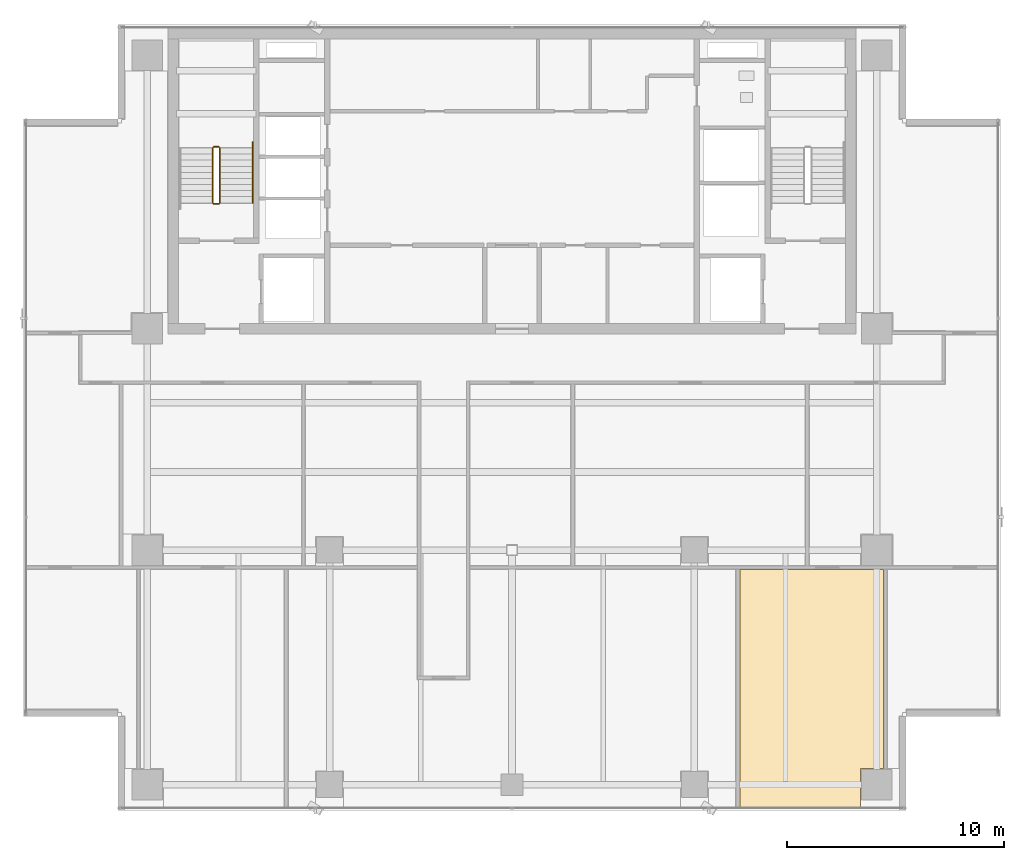
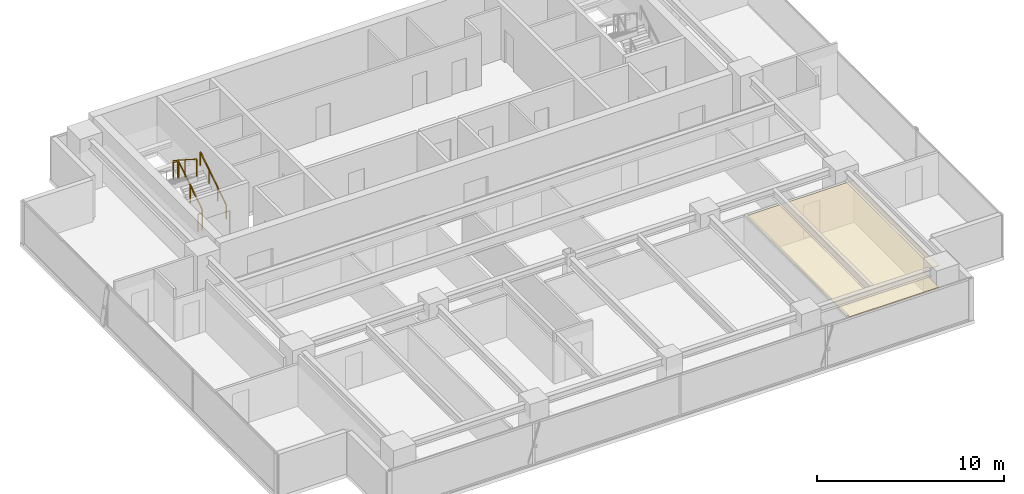
# One storey, part 23 of 26: 5 railings, 1 covering.
"""IFC4 building model written with IfcOpenShell, lengths in metres."""

from ifc_helpers import new_model, si_unit, direction, frame, origin, origin_2d, place, context, subcontext, project, spatial, polyline, rectangle, outline, extrude, material, layer, layer_set, type_object, element, save


model = new_model("IFC4")

# Units and contexts
model_context = context("Model", 3, precision=1e-05, world=origin(), true_north=direction((0.0, 1.0)))
body_context = subcontext(model_context, "Body", "Model", "MODEL_VIEW")
ifc_project = project(units=[si_unit("LENGTHUNIT", "METRE"), si_unit("AREAUNIT", "SQUARE_METRE"), si_unit("VOLUMEUNIT", "CUBIC_METRE"), si_unit("PLANEANGLEUNIT", "RADIAN"), si_unit("MASSUNIT", "GRAM", prefix="KILO")], contexts=[model_context])

# Site, building, storey
site_placement = place(None, origin())
site = spatial("IfcSite", under=ifc_project, at=site_placement, CompositionType="ELEMENT")
building_placement = place(site_placement, origin())
building = spatial("IfcBuilding", under=site, at=building_placement, Name="Sumidabori Civic Tower", CompositionType="ELEMENT")
storey_placement = place(building_placement, frame((0.0, 0.0, 243.199951171875)))
storey = spatial("IfcBuildingStorey", under=building, at=storey_placement, Name="L63", CompositionType="ELEMENT", Elevation=243.199951171875)

# Covering
ifc_material_1 = material(Name="Anodised Bronze Baffle Ceiling")
ifc_layer = layer(ifc_material_1, 0.054931640625, Name="Anodised Bronze Baffle Ceiling")
ifc_layer_set = layer_set([ifc_layer], Name="Anodised Bronze Baffle Ceiling")
covering_type = type_object("IfcCoveringType", Name="CV-CEIL-AC3", PredefinedType="CEILING", material=ifc_layer_set)
covering_placement = place(storey_placement, frame((0.0, 0.0, 2.719970703125)))
element("IfcCovering", 1, at=covering_placement, inside=storey, type_object=covering_type, Name="Room Acoustic Ceiling L63-12", PredefinedType="CEILING", context=body_context, shape_type="SweptSolid", body=[
    extrude(outline(polyline([(10.4951171875, -11.830078125), (10.4951171875, -0.89501953125), (17.10498046875, -0.89501953125), (17.10498046875, -10.06005859375), (16.06005859375, -10.06005859375), (16.06005859375, -11.830078125), (10.4951171875, -11.830078125)])), origin(), (0.0, 0.0, 1.0), 0.05517578125),
])

# Railings
ifc_material_2 = material(Name="Stainless Steel Hairline Finish", Category="steel")
railing_type_1 = type_object("IfcRailingType", Name="RL-HANDRAIL", PredefinedType="HANDRAIL", material=ifc_material_2)
railing_1_placement = place(storey_placement, frame((-11.949951171875, 16.0, 0.179931640625)))
element("IfcRailing", 2, at=railing_1_placement, inside=storey, type_object=railing_type_1, Name="L63 ST-1 stair handrail 1", PredefinedType="HANDRAIL", context=body_context, shape_type="SweptSolid", body=[
    extrude(rectangle(XDim=0.048095703125, YDim=0.048095703125, at=origin_2d()), frame((0.0, 0.0, 0.8759765625), z_axis=(0.0, 0.84064222762, 0.54159084662), x_axis=(-1.0, 0.0, 0.0)), (0.0, 0.0, 1.0), 3.330810546875),
    extrude(rectangle(XDim=0.0419921875, YDim=0.0419921875, at=origin_2d()), origin(), (0.0, 0.0, 1.0), 0.851806640625),
    extrude(rectangle(XDim=0.0419921875, YDim=0.0419921875, at=origin_2d()), frame((0.0, 0.933349609375, 0.601318359375)), (0.0, 0.0, 1.0), 0.851806640625),
    extrude(rectangle(XDim=0.0419921875, YDim=0.0419921875, at=origin_2d()), frame((0.0, 1.86669921875, 1.20263671875)), (0.0, 0.0, 1.0), 0.851806640625),
    extrude(rectangle(XDim=0.0419921875, YDim=0.0419921875, at=origin_2d()), frame((0.0, 2.800048828125, 1.803955078125)), (0.0, 0.0, 1.0), 0.851806640625),
])
ifc_material_3 = material(Name="Steel SN490", Category="steel")
railing_type_2 = type_object("IfcRailingType", Name="RL-STAIR-GUARD", PredefinedType="GUARDRAIL", material=ifc_material_3)
railing_2_placement = place(storey_placement, frame((-13.449951171875, 16.0, 0.179931640625)))
element("IfcRailing", 3, at=railing_2_placement, inside=storey, type_object=railing_type_2, Name="L63 ST-1 stair guard 1", PredefinedType="GUARDRAIL", context=body_context, shape_type="SweptSolid", body=[
    extrude(rectangle(XDim=0.048095703125, YDim=0.048095703125, at=origin_2d()), frame((0.0, 0.0, 1.1259765625), z_axis=(0.0, 0.841162588446, 0.540782303519), x_axis=(-1.0, 0.0, 0.0)), (0.0, 0.0, 1.0), 2.995849609375),
    extrude(rectangle(XDim=0.0419921875, YDim=0.0419921875, at=origin_2d()), origin(), (0.0, 0.0, 1.0), 1.101806640625),
    extrude(rectangle(XDim=0.0419921875, YDim=0.0419921875, at=origin_2d()), frame((0.0, 1.260009765625, 0.81005859375)), (0.0, 0.0, 1.0), 1.101806640625),
    extrude(rectangle(XDim=0.0419921875, YDim=0.0419921875, at=origin_2d()), frame((0.0, 2.52001953125, 1.6201171875)), (0.0, 0.0, 1.0), 1.101806640625),
])
railing_3_placement = place(storey_placement, frame((-13.5, 18.570068359375, 1.800048828125)))
element("IfcRailing", 4, at=railing_3_placement, inside=storey, type_object=railing_type_2, Name="L63 ST-1 stair guard 2", PredefinedType="GUARDRAIL", context=body_context, shape_type="SweptSolid", body=[
    extrude(rectangle(XDim=0.048095703125, YDim=0.048095703125, at=origin_2d()), frame((0.0, 0.0, 1.1259765625), z_axis=(-1.0, 0.0, 0.0), x_axis=(0.0, -1.0, 0.0)), (0.0, 0.0, 1.0), 0.239990234375),
    extrude(rectangle(XDim=0.0419921875, YDim=0.0419921875, at=origin_2d()), origin(), (0.0, 0.0, 1.0), 1.101806640625),
    extrude(rectangle(XDim=0.0419921875, YDim=0.0419921875, at=origin_2d()), frame((-0.239990234375, 0.0, 0.0)), (0.0, 0.0, 1.0), 1.101806640625),
])
railing_4_placement = place(storey_placement, frame((-13.7900390625, 18.52001953125, 1.97998046875)))
element("IfcRailing", 5, at=railing_4_placement, inside=storey, type_object=railing_type_2, Name="L63 ST-1 stair guard 3", PredefinedType="GUARDRAIL", context=body_context, shape_type="SweptSolid", body=[
    extrude(rectangle(XDim=0.048095703125, YDim=0.048095703125, at=origin_2d()), frame((0.0, 0.0, 1.1259765625), z_axis=(0.0, -0.841162588446, 0.540782303519), x_axis=(1.0, 0.0, 0.0)), (0.0, 0.0, 1.0), 2.995849609375),
    extrude(rectangle(XDim=0.0419921875, YDim=0.0419921875, at=origin_2d()), origin(), (0.0, 0.0, 1.0), 1.101806640625),
    extrude(rectangle(XDim=0.0419921875, YDim=0.0419921875, at=origin_2d()), frame((0.0, -1.260009765625, 0.81005859375)), (0.0, 0.0, 1.0), 1.101806640625),
    extrude(rectangle(XDim=0.0419921875, YDim=0.0419921875, at=origin_2d()), frame((0.0, -2.52001953125, 1.6201171875)), (0.0, 0.0, 1.0), 1.101806640625),
])
railing_5_placement = place(storey_placement, frame((-13.5, 15.949951171875, 0.0)))
element("IfcRailing", 6, at=railing_5_placement, inside=storey, type_object=railing_type_2, Name="L63 ST-1 stair guard 4", PredefinedType="GUARDRAIL", context=body_context, shape_type="SweptSolid", body=[
    extrude(rectangle(XDim=0.048095703125, YDim=0.048095703125, at=origin_2d()), frame((0.0, 0.0, 1.1259765625), z_axis=(-1.0, 0.0, 0.0), x_axis=(0.0, -1.0, 0.0)), (0.0, 0.0, 1.0), 0.239990234375),
    extrude(rectangle(XDim=0.0419921875, YDim=0.0419921875, at=origin_2d()), origin(), (0.0, 0.0, 1.0), 1.101806640625),
    extrude(rectangle(XDim=0.0419921875, YDim=0.0419921875, at=origin_2d()), frame((-0.239990234375, 0.0, 0.0)), (0.0, 0.0, 1.0), 1.101806640625),
])

save(model, "model.ifc")
